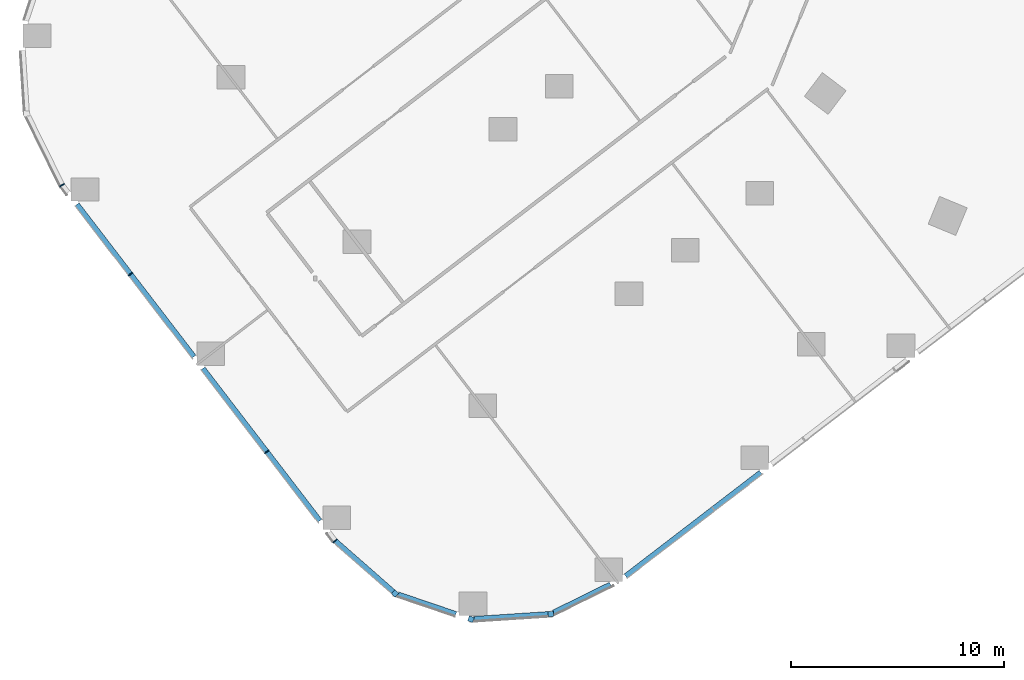
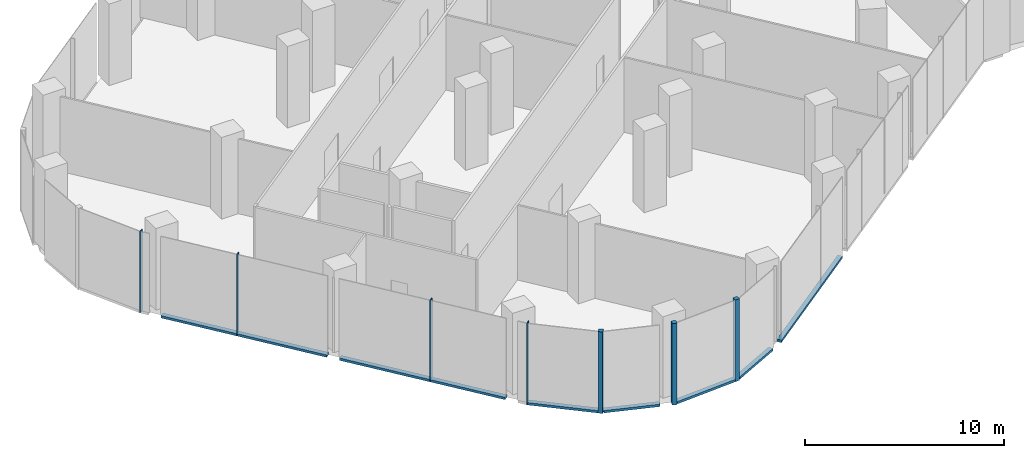
# One storey, part 2 of 29: 14 members, 7 elements without a shape of their own.
"""IFC4 building model written with IfcOpenShell, lengths in metres."""

from ifc_helpers import new_model, si_unit, direction, frame, origin, origin_2d, place, context, subcontext, project, spatial, rectangle, extrude, material, material_profile, profile_set, type_object, element, aggregate, save


model = new_model("IFC4")

# Units and contexts
model_context = context("Model", 3, precision=1e-05, world=origin(), true_north=direction((0.0, 1.0)))
body_context = subcontext(model_context, "Body", "Model", "MODEL_VIEW")
ifc_project = project(units=[si_unit("LENGTHUNIT", "METRE"), si_unit("AREAUNIT", "SQUARE_METRE"), si_unit("VOLUMEUNIT", "CUBIC_METRE"), si_unit("PLANEANGLEUNIT", "RADIAN"), si_unit("MASSUNIT", "GRAM", prefix="KILO")], contexts=[model_context])

# Site, building, storey
site_placement = place(None, origin())
site = spatial("IfcSite", under=ifc_project, at=site_placement, CompositionType="ELEMENT")
building_placement = place(site_placement, origin())
building = spatial("IfcBuilding", under=site, at=building_placement, Name="Orlundy Tower", CompositionType="ELEMENT")
storey_placement = place(building_placement, frame((0.0, 0.0, 15.5)))
storey = spatial("IfcBuildingStorey", under=building, at=storey_placement, Name="L02", CompositionType="ELEMENT", Elevation=15.5)

# Curtain wall, member
ifc_material_1 = material(Name="Aluminium bronze anodised", Category="aluminium")
curtain_wall_type = type_object("IfcCurtainWallType", Name="CW2 wall", PredefinedType="NOTDEFINED", material=ifc_material_1)
curtain_wall_1_placement = place(storey_placement, origin())
curtain_wall_1 = element("IfcCurtainWall", 1, at=curtain_wall_1_placement, inside=storey, type_object=curtain_wall_type, Name="CW2 run 04", PredefinedType="NOTDEFINED")
ifc_material_2 = material(Name="Aluminium bronze anodised", Category="aluminium")
ifc_material_profile_1 = material_profile(ifc_material_2, rectangle(XDim=0.25, YDim=0.25, at=origin_2d()), Name="CW2 corner post 250x250")
ifc_profile_set_1 = profile_set([ifc_material_profile_1], Name="Aluminium bronze anodised")
member_type_1 = type_object("IfcMemberType", Name="CW2 corner post 250x250", PredefinedType="MULLION", material=ifc_profile_set_1)
member_1_placement = place(storey_placement, frame((-30.783935546875, -48.068115234375, -0.39990234375), z_axis=(0.0, 0.0, 1.0), x_axis=(0.065283523877, -0.997866755389, 0.0)))
member_1 = element("IfcMember", 2, at=member_1_placement, type_object=member_type_1, Name="CW2 mullion 15", PredefinedType="MULLION", context=body_context, shape_type="SweptSolid", body=[
    extrude(rectangle(XDim=0.25, YDim=0.25, at=origin_2d()), origin(), (0.0, 0.0, 1.0), 5.0),
])

curtain_wall_2_placement = place(storey_placement, origin())
curtain_wall_2 = element("IfcCurtainWall", 3, at=curtain_wall_2_placement, inside=storey, type_object=curtain_wall_type, Name="CW2 run 05", PredefinedType="NOTDEFINED")
member_2_placement = place(storey_placement, frame((-34.53271484375, -48.3134765625, -0.39990234375), z_axis=(0.0, 0.0, 1.0), x_axis=(-0.32132226688, -0.946969904911, 0.0)))
member_2 = element("IfcMember", 4, at=member_2_placement, type_object=member_type_1, Name="CW2 mullion 16", PredefinedType="MULLION", context=body_context, shape_type="SweptSolid", body=[
    extrude(rectangle(XDim=0.25, YDim=0.25, at=origin_2d()), origin(), (0.0, 0.0, 1.0), 5.0),
])

curtain_wall_3_placement = place(storey_placement, origin())
curtain_wall_3 = element("IfcCurtainWall", 5, at=curtain_wall_3_placement, inside=storey, type_object=curtain_wall_type, Name="CW2 run 06", PredefinedType="NOTDEFINED")
member_3_placement = place(storey_placement, frame((-38.089599609375, -47.1064453125, -0.39990234375), z_axis=(0.0, 0.0, 1.0), x_axis=(-0.65932547196, -0.751857647447, 0.0)))
member_3 = element("IfcMember", 6, at=member_3_placement, type_object=member_type_1, Name="CW2 mullion 17", PredefinedType="MULLION", context=body_context, shape_type="SweptSolid", body=[
    extrude(rectangle(XDim=0.25, YDim=0.25, at=origin_2d()), origin(), (0.0, 0.0, 1.0), 5.0),
])

# Curtain wall, members
curtain_wall_4_placement = place(storey_placement, origin())
curtain_wall_4 = element("IfcCurtainWall", 7, at=curtain_wall_4_placement, inside=storey, type_object=curtain_wall_type, Name="CW2 run 07", PredefinedType="NOTDEFINED")
ifc_material_3 = material(Name="Aluminium bronze anodised", Category="aluminium")
ifc_material_profile_2 = material_profile(ifc_material_3, rectangle(XDim=0.25, YDim=0.050048828125, at=origin_2d()), Name="CW2 mullion 50x250")
ifc_profile_set_2 = profile_set([ifc_material_profile_2], Name="Aluminium bronze anodised")
member_type_2 = type_object("IfcMemberType", Name="CW2 mullion 50x250", PredefinedType="MULLION", material=ifc_profile_set_2)
member_4_placement = place(storey_placement, frame((-40.90478515625, -44.637939453125, -0.39990234375), z_axis=(0.0, 0.0, 1.0), x_axis=(-0.72986044072, -0.683596179826, 0.0)))
member_4 = element("IfcMember", 8, at=member_4_placement, type_object=member_type_2, Name="CW2 mullion 18", PredefinedType="MULLION", context=body_context, shape_type="SweptSolid", body=[
    extrude(rectangle(XDim=0.25, YDim=0.050048828125, at=origin_2d()), origin(), (0.0, 0.0, 1.0), 5.0),
])
member_5_placement = place(storey_placement, frame((-44.108154296875, -40.462890625, -0.39990234375), z_axis=(0.0, 0.0, 1.0), x_axis=(-0.793363342967, -0.608748393046, 0.0)))
member_5 = element("IfcMember", 9, at=member_5_placement, type_object=member_type_2, Name="CW2 mullion 19", PredefinedType="MULLION", context=body_context, shape_type="SweptSolid", body=[
    extrude(rectangle(XDim=0.25, YDim=0.050048828125, at=origin_2d()), origin(), (0.0, 0.0, 1.0), 5.0),
])
member_6_placement = place(storey_placement, frame((-50.500244140625, -32.13232421875, -0.39990234375), z_axis=(0.0, 0.0, 1.0), x_axis=(-0.793363342967, -0.608748393046, 0.0)))
member_6 = element("IfcMember", 10, at=member_6_placement, type_object=member_type_2, Name="CW2 mullion 21", PredefinedType="MULLION", context=body_context, shape_type="SweptSolid", body=[
    extrude(rectangle(XDim=0.25, YDim=0.050048828125, at=origin_2d()), origin(), (0.0, 0.0, 1.0), 5.0),
])

# Curtain wall, member
curtain_wall_5_placement = place(storey_placement, origin())
curtain_wall_5 = element("IfcCurtainWall", 11, at=curtain_wall_5_placement, inside=storey, type_object=curtain_wall_type, Name="CW2 run 08", PredefinedType="NOTDEFINED")
member_7_placement = place(storey_placement, frame((-53.70361328125, -27.957275390625, -0.39990234375), z_axis=(0.0, 0.0, 1.0), x_axis=(-0.849220282352, -0.528038741043, 0.0)))
member_7 = element("IfcMember", 12, at=member_7_placement, type_object=member_type_2, Name="CW2 mullion 22", PredefinedType="MULLION", context=body_context, shape_type="SweptSolid", body=[
    extrude(rectangle(XDim=0.25, YDim=0.050048828125, at=origin_2d()), origin(), (0.0, 0.0, 1.0), 5.0),
])
aggregate(curtain_wall_5, [member_7])

curtain_wall_6_placement = place(storey_placement, origin())
curtain_wall_6 = element("IfcCurtainWall", 13, at=curtain_wall_6_placement, inside=storey, type_object=curtain_wall_type, Name="CW2 run 02", PredefinedType="NOTDEFINED")
ifc_material_4 = material(Name="Aluminium bronze anodised", Category="aluminium")
ifc_material_profile_3 = material_profile(ifc_material_4, rectangle(XDim=0.25, YDim=0.14990234375, at=origin_2d()), Name="CW2 transom 250x150")
ifc_profile_set_3 = profile_set([ifc_material_profile_3], Name="Aluminium bronze anodised")
member_type_3 = type_object("IfcMemberType", Name="CW2 transom 250x150", PredefinedType="USERDEFINED", material=ifc_profile_set_3)
member_8_placement = place(storey_placement, frame((-20.94140625, -41.43603515625, -0.324951171875), z_axis=(-0.793350219426, -0.608765496179, 0.0), x_axis=(0.608765496179, -0.793350219426, 0.0)))
member_8 = element("IfcMember", 14, at=member_8_placement, type_object=member_type_3, Name="CW2 transom", ObjectType="TRANSOM", PredefinedType="USERDEFINED", context=body_context, shape_type="SweptSolid", body=[
    extrude(rectangle(XDim=0.25, YDim=0.14990234375, at=origin_2d()), origin(), (0.0, 0.0, 1.0), 7.9794921875),
])
aggregate(curtain_wall_6, [member_8])

curtain_wall_7_placement = place(storey_placement, origin())
curtain_wall_7 = element("IfcCurtainWall", 15, at=curtain_wall_7_placement, inside=storey, type_object=curtain_wall_type, Name="CW2 run 03", PredefinedType="NOTDEFINED")
member_9_placement = place(storey_placement, frame((-27.98583984375, -46.68798828125, -0.324951171875), z_axis=(-0.896835308619, -0.442364588563, 0.0), x_axis=(0.442364588563, -0.896835308619, 0.0)))
member_9 = element("IfcMember", 16, at=member_9_placement, type_object=member_type_3, Name="CW2 transom", ObjectType="TRANSOM", PredefinedType="USERDEFINED", context=body_context, shape_type="SweptSolid", body=[
    extrude(rectangle(XDim=0.25, YDim=0.14990234375, at=origin_2d()), origin(), (0.0, 0.0, 1.0), 2.984619140625),
])
aggregate(curtain_wall_7, [member_9])

# Member
member_10_placement = place(storey_placement, frame((-30.90869140625, -48.076171875, -0.324951171875), z_axis=(-0.997866579537, -0.065286211732, 0.0), x_axis=(0.065286211732, -0.997866579537, 0.0)))
member_10 = element("IfcMember", 17, at=member_10_placement, type_object=member_type_3, Name="CW2 transom", ObjectType="TRANSOM", PredefinedType="USERDEFINED", context=body_context, shape_type="SweptSolid", body=[
    extrude(rectangle(XDim=0.25, YDim=0.14990234375, at=origin_2d()), origin(), (0.0, 0.0, 1.0), 3.49658203125),
])

aggregate(curtain_wall_1, [member_1, member_10])

member_11_placement = place(storey_placement, frame((-35.237060546875, -48.074462890625, -0.324951171875), z_axis=(-0.946963946424, 0.321339826622, 0.0), x_axis=(-0.321339826622, -0.946963946424, 0.0)))
member_11 = element("IfcMember", 18, at=member_11_placement, type_object=member_type_3, Name="CW2 transom", ObjectType="TRANSOM", PredefinedType="USERDEFINED", context=body_context, shape_type="SweptSolid", body=[
    extrude(rectangle(XDim=0.25, YDim=0.14990234375, at=origin_2d()), origin(), (0.0, 0.0, 1.0), 2.877197265625),
])

aggregate(curtain_wall_2, [member_2, member_11])

member_12_placement = place(storey_placement, frame((-38.18359375, -47.02392578125, -0.324951171875), z_axis=(-0.751886126811, 0.659292994281, 0.0), x_axis=(-0.659292994281, -0.751886126811, 0.0)))
member_12 = element("IfcMember", 19, at=member_12_placement, type_object=member_type_3, Name="CW2 transom", ObjectType="TRANSOM", PredefinedType="USERDEFINED", context=body_context, shape_type="SweptSolid", body=[
    extrude(rectangle(XDim=0.25, YDim=0.14990234375, at=origin_2d()), origin(), (0.0, 0.0, 1.0), 3.59375),
])

aggregate(curtain_wall_3, [member_3, member_12])

member_13_placement = place(storey_placement, frame((-41.6240234375, -43.700439453125, -0.324951171875), z_axis=(-0.6087433929, 0.793367179559, 0.0), x_axis=(-0.793367179559, -0.6087433929, 0.0)))
member_13 = element("IfcMember", 20, at=member_13_placement, type_object=member_type_3, Name="CW2 transom", ObjectType="TRANSOM", PredefinedType="USERDEFINED", context=body_context, shape_type="SweptSolid", body=[
    extrude(rectangle(XDim=0.25, YDim=0.14990234375, at=origin_2d()), origin(), (0.0, 0.0, 1.0), 9.00537109375),
])

member_14_placement = place(storey_placement, frame((-47.529052734375, -36.004638671875, -0.324951171875), z_axis=(-0.608744573287, 0.793366273857, 0.0), x_axis=(-0.793366273857, -0.608744573287, 0.0)))
member_14 = element("IfcMember", 21, at=member_14_placement, type_object=member_type_3, Name="CW2 transom", ObjectType="TRANSOM", PredefinedType="USERDEFINED", context=body_context, shape_type="SweptSolid", body=[
    extrude(rectangle(XDim=0.25, YDim=0.14990234375, at=origin_2d()), origin(), (0.0, 0.0, 1.0), 9.004150390625),
])

aggregate(curtain_wall_4, [member_4, member_5, member_6, member_13, member_14])

save(model, "model.ifc")
